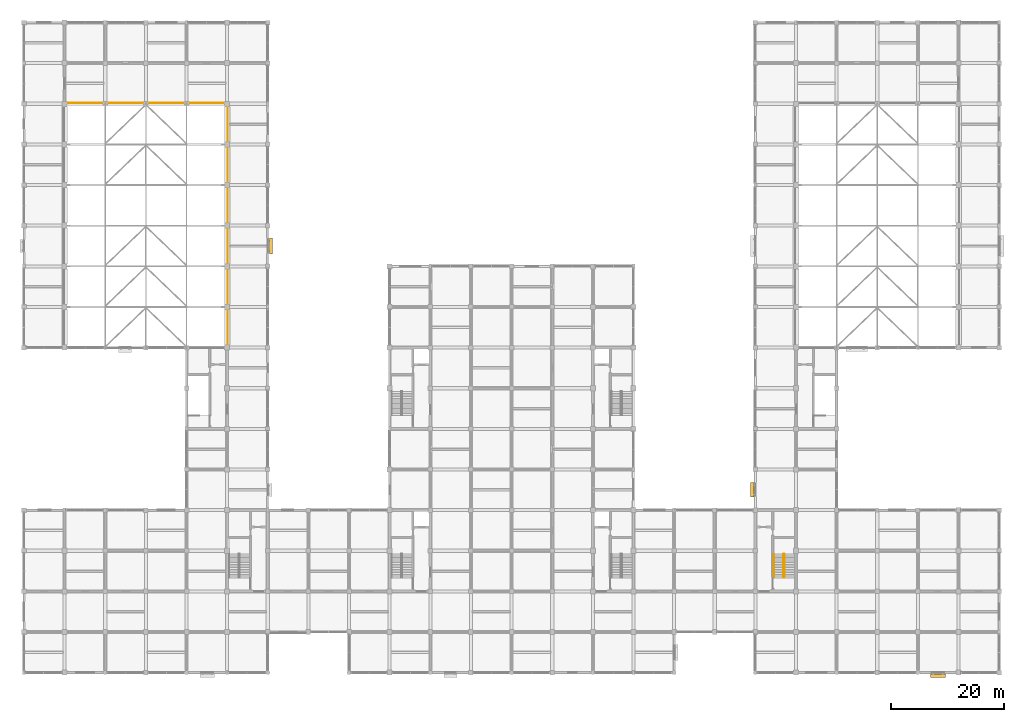
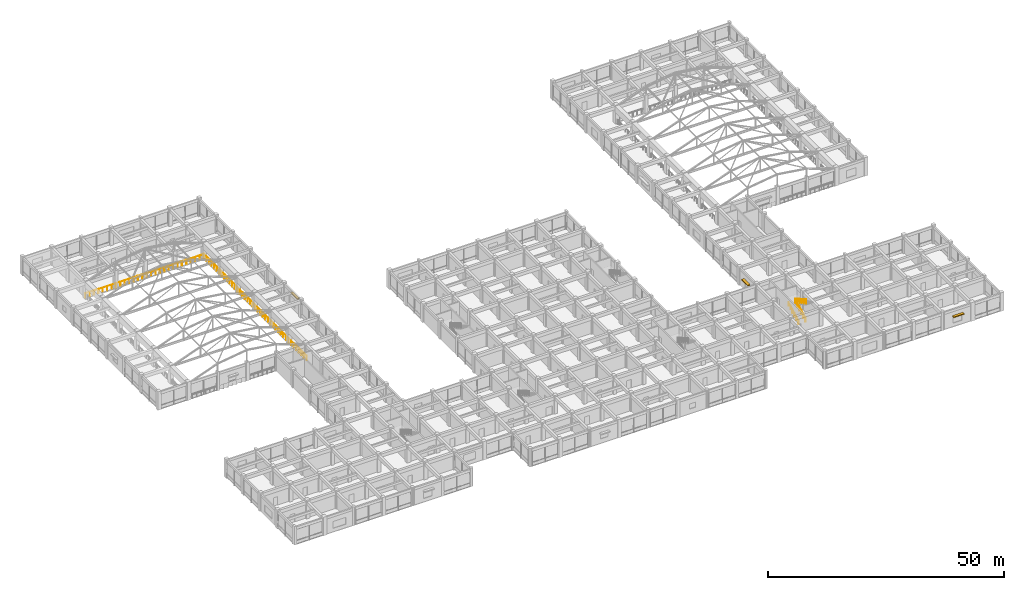
# One storey, part 74 of 75: 4 railings, 3 shading devices.
"""IFC4 building model written with IfcOpenShell, lengths in metres."""

from ifc_helpers import new_model, si_unit, direction, frame, origin, origin_2d, place, context, subcontext, project, spatial, rectangle, circle, extrude, material, type_object, element, save


model = new_model("IFC4")

# Units and contexts
model_context = context("Model", 3, precision=1e-05, world=origin(), true_north=direction((0.0, 1.0)))
body_context = subcontext(model_context, "Body", "Model", "MODEL_VIEW")
ifc_project = project(units=[si_unit("LENGTHUNIT", "METRE"), si_unit("AREAUNIT", "SQUARE_METRE"), si_unit("VOLUMEUNIT", "CUBIC_METRE"), si_unit("PLANEANGLEUNIT", "RADIAN"), si_unit("MASSUNIT", "GRAM", prefix="KILO")], contexts=[model_context])

# Site, building, storey
site_placement = place(None, origin())
site = spatial("IfcSite", under=ifc_project, at=site_placement, CompositionType="ELEMENT")
building_placement = place(site_placement, origin())
building = spatial("IfcBuilding", under=site, at=building_placement, Name="Cendaluz Park School", CompositionType="ELEMENT")
storey_placement = place(building_placement, frame((0.0, 0.0, 4.800048828125)))
storey = spatial("IfcBuildingStorey", under=building, at=storey_placement, Name="L01", CompositionType="ELEMENT", Elevation=4.800048828125)

# Railings
ifc_material_1 = material(Name="Wrought Iron")
railing_type_1 = type_object("IfcRailingType", Name="GR-ST01", PredefinedType="BALUSTRADE", material=ifc_material_1)
railing_1_placement = place(storey_placement, frame((134.590087890625, 16.800048828125, 0.159912109375)))
element("IfcRailing", 1, at=railing_1_placement, inside=storey, type_object=railing_type_1, Name="GR-ST-162", PredefinedType="BALUSTRADE", context=body_context, shape_type="SweptSolid", body=[
    extrude(circle(Radius=0.02392578125, at=origin_2d()), frame((0.0, 0.0, 1.076171875), z_axis=(0.0, 0.882351521365, 0.470590897432), x_axis=(-1.0, 0.0, 0.0)), (0.0, 0.0, 1.0), 4.760009765625),
    extrude(circle(Radius=0.02392578125, at=origin_2d()), frame((0.0, 4.199951171875, 3.31591796875), z_axis=(1.0, 0.0, 0.0), x_axis=(0.0, 1.0, 0.0)), (0.0, 0.0, 1.0), 0.169921875),
    extrude(circle(Radius=0.02392578125, at=origin_2d()), frame((0.169921875, 4.199951171875, 3.31591796875), z_axis=(0.0, -0.868227612608, 0.496166114024), x_axis=(1.0, 0.0, 0.0)), (0.0, 0.0, 1.0), 4.83740234375),
    extrude(circle(Radius=0.02099609375, at=origin_2d()), origin(), (0.0, 0.0, 1.0), 1.052001953125),
    extrude(circle(Radius=0.02099609375, at=origin_2d()), frame((0.0, 0.840087890625, 0.447998046875)), (0.0, 0.0, 1.0), 1.052001953125),
    extrude(circle(Radius=0.02099609375, at=origin_2d()), frame((0.0, 1.679931640625, 0.89599609375)), (0.0, 0.0, 1.0), 1.052001953125),
    extrude(circle(Radius=0.02099609375, at=origin_2d()), frame((0.0, 2.52001953125, 1.343994140625)), (0.0, 0.0, 1.0), 1.052001953125),
    extrude(circle(Radius=0.02099609375, at=origin_2d()), frame((0.0, 3.35986328125, 1.7919921875)), (0.0, 0.0, 1.0), 1.052001953125),
    extrude(circle(Radius=0.02099609375, at=origin_2d()), frame((0.0, 4.199951171875, 2.239990234375)), (0.0, 0.0, 1.0), 1.052001953125),
    extrude(circle(Radius=0.02099609375, at=origin_2d()), frame((0.169921875, 4.199951171875, 2.239990234375)), (0.0, 0.0, 1.0), 1.052001953125),
    extrude(circle(Radius=0.02099609375, at=origin_2d()), frame((0.169921875, 3.35986328125, 2.719970703125)), (0.0, 0.0, 1.0), 1.052001953125),
    extrude(circle(Radius=0.02099609375, at=origin_2d()), frame((0.169921875, 2.52001953125, 3.199951171875)), (0.0, 0.0, 1.0), 1.052001953125),
    extrude(circle(Radius=0.02099609375, at=origin_2d()), frame((0.169921875, 1.679931640625, 3.68017578125)), (0.0, 0.0, 1.0), 1.052001953125),
    extrude(circle(Radius=0.02099609375, at=origin_2d()), frame((0.169921875, 0.840087890625, 4.16015625)), (0.0, 0.0, 1.0), 1.052001953125),
    extrude(circle(Radius=0.02099609375, at=origin_2d()), frame((0.169921875, 0.0, 4.64013671875)), (0.0, 0.0, 1.0), 1.052001953125),
])
ifc_material_2 = material(Name="Tempered Low-E Double Glazing", Category="glass")
railing_type_2 = type_object("IfcRailingType", Name="GR-VD01", PredefinedType="GUARDRAIL", material=ifc_material_2)
railing_2_placement = place(storey_placement, frame((36.1201171875, 57.47998046875, 0.0)))
element("IfcRailing", 2, at=railing_2_placement, inside=storey, type_object=railing_type_2, Name="GR-SH-VOID-2", PredefinedType="GUARDRAIL", context=body_context, shape_type="SweptSolid", body=[
    extrude(circle(Radius=0.02392578125, at=origin_2d()), frame((0.0, 0.0, 1.1259765625), z_axis=(0.0, 1.0, 0.0), x_axis=(-1.0, 0.0, 0.0)), (0.0, 0.0, 1.0), 43.43994140625),
    extrude(circle(Radius=0.02099609375, at=origin_2d()), origin(), (0.0, 0.0, 1.0), 1.101806640625),
    extrude(circle(Radius=0.02099609375, at=origin_2d()), frame((0.0, 1.0859375, 0.0)), (0.0, 0.0, 1.0), 1.101806640625),
    extrude(circle(Radius=0.02099609375, at=origin_2d()), frame((0.0, 2.171875, 0.0)), (0.0, 0.0, 1.0), 1.101806640625),
    extrude(circle(Radius=0.02099609375, at=origin_2d()), frame((0.0, 3.258056640625, 0.0)), (0.0, 0.0, 1.0), 1.101806640625),
    extrude(circle(Radius=0.02099609375, at=origin_2d()), frame((0.0, 4.343994140625, 0.0)), (0.0, 0.0, 1.0), 1.101806640625),
    extrude(circle(Radius=0.02099609375, at=origin_2d()), frame((0.0, 5.429931640625, 0.0)), (0.0, 0.0, 1.0), 1.101806640625),
    extrude(circle(Radius=0.02099609375, at=origin_2d()), frame((0.0, 6.51611328125, 0.0)), (0.0, 0.0, 1.0), 1.101806640625),
    extrude(circle(Radius=0.02099609375, at=origin_2d()), frame((0.0, 7.60205078125, 0.0)), (0.0, 0.0, 1.0), 1.101806640625),
    extrude(circle(Radius=0.02099609375, at=origin_2d()), frame((0.0, 8.68798828125, 0.0)), (0.0, 0.0, 1.0), 1.101806640625),
    extrude(circle(Radius=0.02099609375, at=origin_2d()), frame((0.0, 9.77392578125, 0.0)), (0.0, 0.0, 1.0), 1.101806640625),
    extrude(circle(Radius=0.02099609375, at=origin_2d()), frame((0.0, 10.85986328125, 0.0)), (0.0, 0.0, 1.0), 1.101806640625),
    extrude(circle(Radius=0.02099609375, at=origin_2d()), frame((0.0, 11.946044921875, 0.0)), (0.0, 0.0, 1.0), 1.101806640625),
    extrude(circle(Radius=0.02099609375, at=origin_2d()), frame((0.0, 13.031982421875, 0.0)), (0.0, 0.0, 1.0), 1.101806640625),
    extrude(circle(Radius=0.02099609375, at=origin_2d()), frame((0.0, 14.117919921875, 0.0)), (0.0, 0.0, 1.0), 1.101806640625),
    extrude(circle(Radius=0.02099609375, at=origin_2d()), frame((0.0, 15.203857421875, 0.0)), (0.0, 0.0, 1.0), 1.101806640625),
    extrude(circle(Radius=0.02099609375, at=origin_2d()), frame((0.0, 16.2900390625, 0.0)), (0.0, 0.0, 1.0), 1.101806640625),
    extrude(circle(Radius=0.02099609375, at=origin_2d()), frame((0.0, 17.3759765625, 0.0)), (0.0, 0.0, 1.0), 1.101806640625),
    extrude(circle(Radius=0.02099609375, at=origin_2d()), frame((0.0, 18.4619140625, 0.0)), (0.0, 0.0, 1.0), 1.101806640625),
    extrude(circle(Radius=0.02099609375, at=origin_2d()), frame((0.0, 19.5478515625, 0.0)), (0.0, 0.0, 1.0), 1.101806640625),
    extrude(circle(Radius=0.02099609375, at=origin_2d()), frame((0.0, 20.634033203125, 0.0)), (0.0, 0.0, 1.0), 1.101806640625),
    extrude(circle(Radius=0.02099609375, at=origin_2d()), frame((0.0, 21.719970703125, 0.0)), (0.0, 0.0, 1.0), 1.101806640625),
    extrude(circle(Radius=0.02099609375, at=origin_2d()), frame((0.0, 22.805908203125, 0.0)), (0.0, 0.0, 1.0), 1.101806640625),
    extrude(circle(Radius=0.02099609375, at=origin_2d()), frame((0.0, 23.89208984375, 0.0)), (0.0, 0.0, 1.0), 1.101806640625),
    extrude(circle(Radius=0.02099609375, at=origin_2d()), frame((0.0, 24.97802734375, 0.0)), (0.0, 0.0, 1.0), 1.101806640625),
    extrude(circle(Radius=0.02099609375, at=origin_2d()), frame((0.0, 26.06396484375, 0.0)), (0.0, 0.0, 1.0), 1.101806640625),
    extrude(circle(Radius=0.02099609375, at=origin_2d()), frame((0.0, 27.14990234375, 0.0)), (0.0, 0.0, 1.0), 1.101806640625),
    extrude(circle(Radius=0.02099609375, at=origin_2d()), frame((0.0, 28.23583984375, 0.0)), (0.0, 0.0, 1.0), 1.101806640625),
    extrude(circle(Radius=0.02099609375, at=origin_2d()), frame((0.0, 29.322021484375, 0.0)), (0.0, 0.0, 1.0), 1.101806640625),
    extrude(circle(Radius=0.02099609375, at=origin_2d()), frame((0.0, 30.407958984375, 0.0)), (0.0, 0.0, 1.0), 1.101806640625),
    extrude(circle(Radius=0.02099609375, at=origin_2d()), frame((0.0, 31.493896484375, 0.0)), (0.0, 0.0, 1.0), 1.101806640625),
    extrude(circle(Radius=0.02099609375, at=origin_2d()), frame((0.0, 32.580078125, 0.0)), (0.0, 0.0, 1.0), 1.101806640625),
    extrude(circle(Radius=0.02099609375, at=origin_2d()), frame((0.0, 33.666015625, 0.0)), (0.0, 0.0, 1.0), 1.101806640625),
    extrude(circle(Radius=0.02099609375, at=origin_2d()), frame((0.0, 34.751953125, 0.0)), (0.0, 0.0, 1.0), 1.101806640625),
    extrude(circle(Radius=0.02099609375, at=origin_2d()), frame((0.0, 35.837890625, 0.0)), (0.0, 0.0, 1.0), 1.101806640625),
    extrude(circle(Radius=0.02099609375, at=origin_2d()), frame((0.0, 36.923828125, 0.0)), (0.0, 0.0, 1.0), 1.101806640625),
    extrude(circle(Radius=0.02099609375, at=origin_2d()), frame((0.0, 38.010009765625, 0.0)), (0.0, 0.0, 1.0), 1.101806640625),
    extrude(circle(Radius=0.02099609375, at=origin_2d()), frame((0.0, 39.095947265625, 0.0)), (0.0, 0.0, 1.0), 1.101806640625),
    extrude(circle(Radius=0.02099609375, at=origin_2d()), frame((0.0, 40.181884765625, 0.0)), (0.0, 0.0, 1.0), 1.101806640625),
    extrude(circle(Radius=0.02099609375, at=origin_2d()), frame((0.0, 41.26806640625, 0.0)), (0.0, 0.0, 1.0), 1.101806640625),
    extrude(circle(Radius=0.02099609375, at=origin_2d()), frame((0.0, 42.35400390625, 0.0)), (0.0, 0.0, 1.0), 1.101806640625),
    extrude(circle(Radius=0.02099609375, at=origin_2d()), frame((0.0, 43.43994140625, 0.0)), (0.0, 0.0, 1.0), 1.101806640625),
])
railing_3_placement = place(storey_placement, frame((36.1201171875, 100.919921875, 0.0)))
element("IfcRailing", 3, at=railing_3_placement, inside=storey, type_object=railing_type_2, Name="GR-SH-VOID-3", PredefinedType="GUARDRAIL", context=body_context, shape_type="SweptSolid", body=[
    extrude(circle(Radius=0.02392578125, at=origin_2d()), frame((0.0, 0.0, 1.1259765625), z_axis=(-1.0, 0.0, 0.0), x_axis=(0.0, -1.0, 0.0)), (0.0, 0.0, 1.0), 29.0400390625),
    extrude(circle(Radius=0.02099609375, at=origin_2d()), origin(), (0.0, 0.0, 1.0), 1.101806640625),
    extrude(circle(Radius=0.02099609375, at=origin_2d()), frame((-1.075439453125, 0.0, 0.0)), (0.0, 0.0, 1.0), 1.101806640625),
    extrude(circle(Radius=0.02099609375, at=origin_2d()), frame((-2.151123046875, 0.0, 0.0)), (0.0, 0.0, 1.0), 1.101806640625),
    extrude(circle(Radius=0.02099609375, at=origin_2d()), frame((-3.2265625, 0.0, 0.0)), (0.0, 0.0, 1.0), 1.101806640625),
    extrude(circle(Radius=0.02099609375, at=origin_2d()), frame((-4.30224609375, 0.0, 0.0)), (0.0, 0.0, 1.0), 1.101806640625),
    extrude(circle(Radius=0.02099609375, at=origin_2d()), frame((-5.377685546875, 0.0, 0.0)), (0.0, 0.0, 1.0), 1.101806640625),
    extrude(circle(Radius=0.02099609375, at=origin_2d()), frame((-6.453369140625, 0.0, 0.0)), (0.0, 0.0, 1.0), 1.101806640625),
    extrude(circle(Radius=0.02099609375, at=origin_2d()), frame((-7.52880859375, 0.0, 0.0)), (0.0, 0.0, 1.0), 1.101806640625),
    extrude(circle(Radius=0.02099609375, at=origin_2d()), frame((-8.6044921875, 0.0, 0.0)), (0.0, 0.0, 1.0), 1.101806640625),
    extrude(circle(Radius=0.02099609375, at=origin_2d()), frame((-9.679931640625, 0.0, 0.0)), (0.0, 0.0, 1.0), 1.101806640625),
    extrude(circle(Radius=0.02099609375, at=origin_2d()), frame((-10.755615234375, 0.0, 0.0)), (0.0, 0.0, 1.0), 1.101806640625),
    extrude(circle(Radius=0.02099609375, at=origin_2d()), frame((-11.8310546875, 0.0, 0.0)), (0.0, 0.0, 1.0), 1.101806640625),
    extrude(circle(Radius=0.02099609375, at=origin_2d()), frame((-12.90673828125, 0.0, 0.0)), (0.0, 0.0, 1.0), 1.101806640625),
    extrude(circle(Radius=0.02099609375, at=origin_2d()), frame((-13.982177734375, 0.0, 0.0)), (0.0, 0.0, 1.0), 1.101806640625),
    extrude(circle(Radius=0.02099609375, at=origin_2d()), frame((-15.057861328125, 0.0, 0.0)), (0.0, 0.0, 1.0), 1.101806640625),
    extrude(circle(Radius=0.02099609375, at=origin_2d()), frame((-16.13330078125, 0.0, 0.0)), (0.0, 0.0, 1.0), 1.101806640625),
    extrude(circle(Radius=0.02099609375, at=origin_2d()), frame((-17.208984375, 0.0, 0.0)), (0.0, 0.0, 1.0), 1.101806640625),
    extrude(circle(Radius=0.02099609375, at=origin_2d()), frame((-18.284423828125, 0.0, 0.0)), (0.0, 0.0, 1.0), 1.101806640625),
    extrude(circle(Radius=0.02099609375, at=origin_2d()), frame((-19.360107421875, 0.0, 0.0)), (0.0, 0.0, 1.0), 1.101806640625),
    extrude(circle(Radius=0.02099609375, at=origin_2d()), frame((-20.435546875, 0.0, 0.0)), (0.0, 0.0, 1.0), 1.101806640625),
    extrude(circle(Radius=0.02099609375, at=origin_2d()), frame((-21.51123046875, 0.0, 0.0)), (0.0, 0.0, 1.0), 1.101806640625),
    extrude(circle(Radius=0.02099609375, at=origin_2d()), frame((-22.586669921875, 0.0, 0.0)), (0.0, 0.0, 1.0), 1.101806640625),
    extrude(circle(Radius=0.02099609375, at=origin_2d()), frame((-23.662353515625, 0.0, 0.0)), (0.0, 0.0, 1.0), 1.101806640625),
    extrude(circle(Radius=0.02099609375, at=origin_2d()), frame((-24.73779296875, 0.0, 0.0)), (0.0, 0.0, 1.0), 1.101806640625),
    extrude(circle(Radius=0.02099609375, at=origin_2d()), frame((-25.8134765625, 0.0, 0.0)), (0.0, 0.0, 1.0), 1.101806640625),
    extrude(circle(Radius=0.02099609375, at=origin_2d()), frame((-26.888916015625, 0.0, 0.0)), (0.0, 0.0, 1.0), 1.101806640625),
    extrude(circle(Radius=0.02099609375, at=origin_2d()), frame((-27.964599609375, 0.0, 0.0)), (0.0, 0.0, 1.0), 1.101806640625),
    extrude(circle(Radius=0.02099609375, at=origin_2d()), frame((-29.0400390625, 0.0, 0.0)), (0.0, 0.0, 1.0), 1.101806640625),
])
ifc_material_3 = material(Name="Architectural Bronze")
railing_type_3 = type_object("IfcRailingType", Name="HR-ST01", PredefinedType="HANDRAIL", material=ifc_material_3)
railing_4_placement = place(storey_placement, frame((132.89990234375, 16.800048828125, 0.159912109375)))
element("IfcRailing", 4, at=railing_4_placement, inside=storey, type_object=railing_type_3, Name="HR-ST-163", PredefinedType="HANDRAIL", context=body_context, shape_type="SweptSolid", body=[
    extrude(circle(Radius=0.02392578125, at=origin_2d()), frame((0.0, 0.0, 0.8759765625), z_axis=(0.0, 0.882351521365, 0.470590897432), x_axis=(-1.0, 0.0, 0.0)), (0.0, 0.0, 1.0), 4.760009765625),
    extrude(circle(Radius=0.02099609375, at=origin_2d()), origin(), (0.0, 0.0, 1.0), 0.851806640625),
    extrude(circle(Radius=0.02099609375, at=origin_2d()), frame((0.0, 0.840087890625, 0.447998046875)), (0.0, 0.0, 1.0), 0.851806640625),
    extrude(circle(Radius=0.02099609375, at=origin_2d()), frame((0.0, 1.679931640625, 0.89599609375)), (0.0, 0.0, 1.0), 0.851806640625),
    extrude(circle(Radius=0.02099609375, at=origin_2d()), frame((0.0, 2.52001953125, 1.343994140625)), (0.0, 0.0, 1.0), 0.851806640625),
    extrude(circle(Radius=0.02099609375, at=origin_2d()), frame((0.0, 3.35986328125, 1.7919921875)), (0.0, 0.0, 1.0), 0.851806640625),
    extrude(circle(Radius=0.02099609375, at=origin_2d()), frame((0.0, 4.199951171875, 2.239990234375)), (0.0, 0.0, 1.0), 0.851806640625),
])

# Shading devices
ifc_material_4 = material(Name="Anodised Aluminium 6063-T6", Category="aluminium")
shading_device_type = type_object("IfcShadingDeviceType", Name="SD-01", PredefinedType="JALOUSIE", material=ifc_material_4)
shading_device_placement = place(storey_placement, frame((43.760009765625, 75.60009765625, 2.919921875), z_axis=(0.0, 0.0, 1.0), x_axis=(0.0, 1.0, 0.0)))
element("IfcShadingDevice", 5, at=shading_device_placement, inside=storey, type_object=shading_device_type, Name="SD-L01-040", PredefinedType="JALOUSIE", context=body_context, shape_type="SweptSolid", body=[
    extrude(rectangle(XDim=2.800048828125, YDim=0.60009765625, at=origin_2d()), origin(), (0.0, 0.0, 1.0), 0.239990234375),
])
for number, where, z_axis, x_axis, name in (
    (6, (129.0400390625, 32.39990234375, 2.7197265625), (0.0, 0.0, 1.0), (0.0, 1.0, 0.0), "SD-L01-043"),
    (7, (161.96240234375, -0.56005859375, 2.7197265625), (0.0, 0.0, 1.0), (1.0, 0.0, 0.0), "SD-L01-046"),
):
    element("IfcShadingDevice", number, at=place(storey_placement, frame(where, z_axis=z_axis, x_axis=x_axis)), inside=storey, type_object=shading_device_type, Name=name, PredefinedType="JALOUSIE", context=body_context, shape_type="SweptSolid", body=[
        extrude(rectangle(XDim=2.60009765625, YDim=0.60009765625, at=origin_2d()), origin(), (0.0, 0.0, 1.0), 0.239990234375),
    ])

save(model, "model.ifc")
